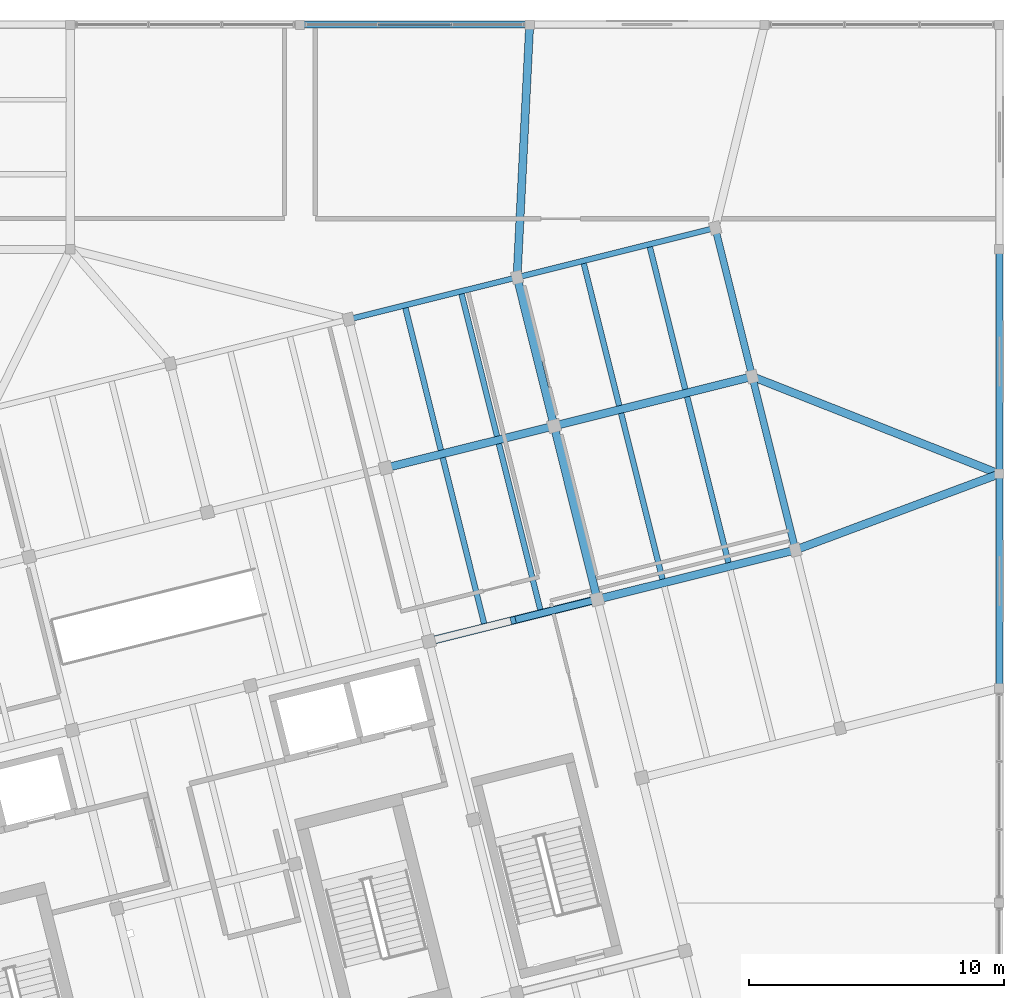
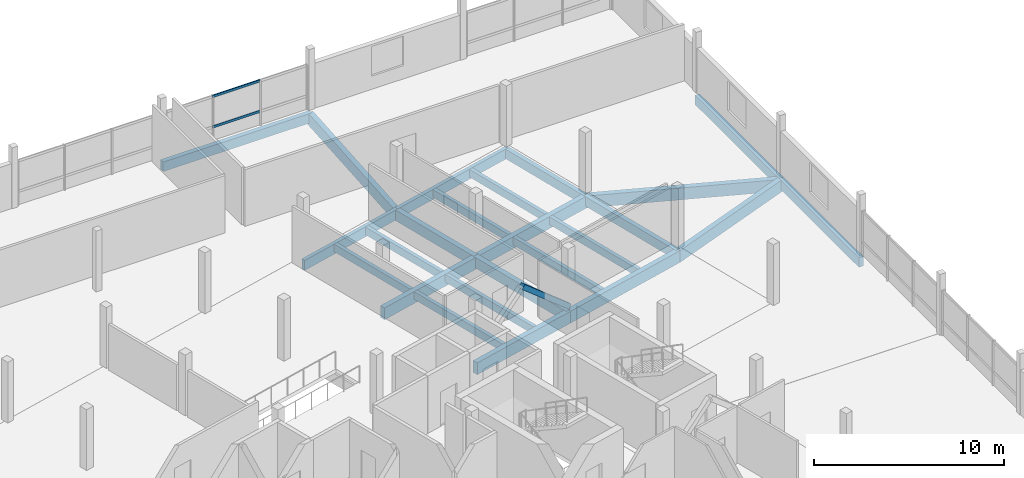
# One storey, part 29 of 39: 24 beams, 3 members, 1 element without a shape of its own.
"""IFC4 building model written with IfcOpenShell, lengths in metres."""

from ifc_helpers import new_model, si_unit, direction, frame, origin, origin_2d, place, context, subcontext, project, spatial, rectangle, hollow_rectangle, extrude, material, layer, layer_set, material_profile, profile_set, type_object, element, aggregate, save


model = new_model("IFC4")

# Units and contexts
model_context = context("Model", 3, precision=1e-05, world=origin(), true_north=direction((0.0, 1.0)))
body_context = subcontext(model_context, "Body", "Model", "MODEL_VIEW")
ifc_project = project(units=[si_unit("LENGTHUNIT", "METRE"), si_unit("AREAUNIT", "SQUARE_METRE"), si_unit("VOLUMEUNIT", "CUBIC_METRE"), si_unit("PLANEANGLEUNIT", "RADIAN"), si_unit("MASSUNIT", "GRAM", prefix="KILO")], contexts=[model_context])

# Site, building, storey
site_placement = place(None, origin())
site = spatial("IfcSite", under=ifc_project, at=site_placement, CompositionType="ELEMENT")
building_placement = place(site_placement, origin())
building = spatial("IfcBuilding", under=site, at=building_placement, Name="Meriwether Solvik Hall", CompositionType="ELEMENT")
storey_placement = place(building_placement, frame((0.0, 0.0, 22.199951171875)))
storey = spatial("IfcBuildingStorey", under=building, at=storey_placement, Name="L05", CompositionType="ELEMENT", Elevation=22.199951171875)

# Beams
ifc_material_1 = material(Name="Glulam Douglas-Fir 24F-V8 GL28h", Category="wood")
ifc_material_profile_1 = material_profile(ifc_material_1, rectangle(XDim=0.221923828125, YDim=0.64501953125, at=origin_2d()), Name="GLB-222X645")
ifc_profile_set_1 = profile_set([ifc_material_profile_1], Name="Glulam Douglas-Fir 24F-V8 GL28h")
beam_type_1 = type_object("IfcBeamType", Name="BM-GL-222X645", PredefinedType="SPANDREL", material=ifc_profile_set_1)
beam_1_placement = place(storey_placement, frame((88.707275390625, 81.254150390625, -0.5673828125), z_axis=(0.970298579828, 0.24191045034, 0.0), x_axis=(-0.24191045034, 0.970298579828, 0.0)))
element("IfcBeam", 1, at=beam_1_placement, inside=storey, type_object=beam_type_1, Name="Tower Girder TF:T5-T6 (L05)", PredefinedType="SPANDREL", context=body_context, shape_type="SweptSolid", body=[
    extrude(rectangle(XDim=0.221923828125, YDim=0.64501953125, at=origin_2d()), origin(), (0.0, 0.0, 1.0), 6.800048828125),
])
beam_2_placement = place(storey_placement, frame((95.305419921875, 82.899169921875, -0.5673828125), z_axis=(0.970289525963, 0.24194676234, 0.0), x_axis=(-0.24194676234, 0.970289525963, 0.0)))
element("IfcBeam", 2, at=beam_2_placement, inside=storey, type_object=beam_type_1, Name="Tower Girder TF:T6-T7 (L05)", PredefinedType="SPANDREL", context=body_context, shape_type="SweptSolid", body=[
    extrude(rectangle(XDim=0.221923828125, YDim=0.64501953125, at=origin_2d()), origin(), (0.0, 0.0, 1.0), 8.0),
])
ifc_material_2 = material(Name="Glulam Douglas-Fir 24F-V8 GL28h", Category="wood")
ifc_material_profile_2 = material_profile(ifc_material_2, rectangle(XDim=0.27294921875, YDim=0.610107421875, at=origin_2d()), Name="GLB-273X610")
ifc_profile_set_2 = profile_set([ifc_material_profile_2], Name="Glulam Douglas-Fir 24F-V8 GL28h")
beam_type_2 = type_object("IfcBeamType", Name="BM-GL-273X610", PredefinedType="SPANDREL", material=ifc_profile_set_2)
beam_3_placement = place(storey_placement, frame((86.800048828125, 92.800048828125, -0.550048828125), z_axis=(1.0, 0.0, 0.0), x_axis=(0.0, 1.0, 0.0)))
element("IfcBeam", 3, at=beam_3_placement, inside=storey, type_object=beam_type_2, Name="Podium Girder K:10-11 (L05)", PredefinedType="SPANDREL", context=body_context, shape_type="SweptSolid", body=[
    extrude(rectangle(XDim=0.27294921875, YDim=0.610107421875, at=origin_2d()), origin(), (0.0, 0.0, 1.0), 9.0),
])
beam_4_placement = place(storey_placement, frame((114.199951171875, 66.800048828125, -0.550048828125), z_axis=(0.0, 1.0, 0.0), x_axis=(-1.0, 0.0, 0.0)))
element("IfcBeam", 4, at=beam_4_placement, inside=storey, type_object=beam_type_2, Name="Podium Girder 13:H-I (L05)", PredefinedType="SPANDREL", context=body_context, shape_type="SweptSolid", body=[
    extrude(rectangle(XDim=0.27294921875, YDim=0.610107421875, at=origin_2d()), origin(), (0.0, 0.0, 1.0), 8.39990234375),
])
beam_5_placement = place(storey_placement, frame((114.199951171875, 75.199951171875, -0.550048828125), z_axis=(0.0, 1.0, 0.0), x_axis=(-1.0, 0.0, 0.0)))
element("IfcBeam", 5, at=beam_5_placement, inside=storey, type_object=beam_type_2, Name="Podium Girder 13:I-J (L05)", PredefinedType="SPANDREL", context=body_context, shape_type="SweptSolid", body=[
    extrude(rectangle(XDim=0.27294921875, YDim=0.610107421875, at=origin_2d()), origin(), (0.0, 0.0, 1.0), 8.800048828125),
])
beam_6_placement = place(storey_placement, frame((106.212646484375, 72.220703125, -0.550048828125), z_axis=(-0.241903692719, 0.970300264582, 0.0), x_axis=(-0.970300264582, -0.241903692719, 0.0)))
element("IfcBeam", 6, at=beam_6_placement, inside=storey, type_object=beam_type_2, Name="Tower Girder T7:TD-TE (L05)", PredefinedType="SPANDREL", context=body_context, shape_type="SweptSolid", body=[
    extrude(rectangle(XDim=0.27294921875, YDim=0.610107421875, at=origin_2d()), origin(), (0.0, 0.0, 1.0), 7.000244140625),
])
beam_7_placement = place(storey_placement, frame((104.519287109375, 79.012939453125, -0.550048828125), z_axis=(-0.241941986192, 0.970290716908, 0.0), x_axis=(-0.970290716908, -0.241941986192, 0.0)))
element("IfcBeam", 7, at=beam_7_placement, inside=storey, type_object=beam_type_2, Name="Tower Girder T7:TE-TF (L05)", PredefinedType="SPANDREL", context=body_context, shape_type="SweptSolid", body=[
    extrude(rectangle(XDim=0.27294921875, YDim=0.610107421875, at=origin_2d()), origin(), (0.0, 0.0, 1.0), 6.0),
])
ifc_material_3 = material(Name="Glulam Douglas-Fir 24F-V8 GL28h", Category="wood")
ifc_material_profile_3 = material_profile(ifc_material_3, rectangle(XDim=0.31494140625, YDim=0.68505859375, at=origin_2d()), Name="GLB-315X685")
ifc_profile_set_3 = profile_set([ifc_material_profile_3], Name="Glulam Douglas-Fir 24F-V8 GL28h")
beam_type_3 = type_object("IfcBeamType", Name="BM-GL-315X685", PredefinedType="BEAM", material=ifc_profile_set_3)
beam_8_placement = place(storey_placement, frame((98.4501953125, 70.285400390625, -0.58740234375), z_axis=(-0.241911879182, 0.970298223594, 0.0), x_axis=(-0.970298223594, -0.241911879182, 0.0)))
element("IfcBeam", 8, at=beam_8_placement, inside=storey, type_object=beam_type_3, Name="Tower Girder T6:TD-TE (L05)", PredefinedType="BEAM", context=body_context, shape_type="SweptSolid", body=[
    extrude(rectangle(XDim=0.31494140625, YDim=0.68505859375, at=origin_2d()), origin(), (0.0, 0.0, 1.0), 7.0),
])
beam_9_placement = place(storey_placement, frame((96.7568359375, 77.077392578125, -0.58740234375), z_axis=(-0.241903677572, 0.970300268359, 0.0), x_axis=(-0.970300268359, -0.241903677572, 0.0)))
element("IfcBeam", 9, at=beam_9_placement, inside=storey, type_object=beam_type_3, Name="Tower Girder T6:TE-TF (L05)", PredefinedType="BEAM", context=body_context, shape_type="SweptSolid", body=[
    extrude(rectangle(XDim=0.31494140625, YDim=0.68505859375, at=origin_2d()), origin(), (0.0, 0.0, 1.0), 6.0),
])
ifc_material_4 = material(Name="Glulam Douglas-Fir 24F-V8 GL28h", Category="wood")
ifc_material_profile_4 = material_profile(ifc_material_4, rectangle(XDim=0.31494140625, YDim=0.760009765625, at=origin_2d()), Name="GLB-315X760")
ifc_profile_set_4 = profile_set([ifc_material_profile_4], Name="Glulam Douglas-Fir 24F-V8 GL28h")
beam_type_4 = type_object("IfcBeamType", Name="BM-GL-315X760", PredefinedType="BEAM", material=ifc_profile_set_4)
beam_10_placement = place(storey_placement, frame((95.305419921875, 82.899169921875, -0.625), z_axis=(0.049895854105, 0.998754426144, 0.0), x_axis=(-0.998754426144, 0.049895854105, 0.0)))
element("IfcBeam", 10, at=beam_10_placement, inside=storey, type_object=beam_type_4, Name="Diaphragm Collector Girder T6/TF-11/K (L05)", PredefinedType="BEAM", context=body_context, shape_type="SweptSolid", body=[
    extrude(rectangle(XDim=0.31494140625, YDim=0.760009765625, at=origin_2d()), origin(), (0.0, 0.0, 1.0), 9.913330078125),
])
beam_11_placement = place(storey_placement, frame((106.212646484375, 72.220703125, -0.625), z_axis=(0.93694444662, 0.349478331156, 0.0), x_axis=(-0.349478331156, 0.93694444662, 0.0)))
element("IfcBeam", 11, at=beam_11_placement, inside=storey, type_object=beam_type_4, Name="Diaphragm Collector Girder T7/TD-13/I (L05)", PredefinedType="BEAM", context=body_context, shape_type="SweptSolid", body=[
    extrude(rectangle(XDim=0.31494140625, YDim=0.760009765625, at=origin_2d()), origin(), (0.0, 0.0, 1.0), 8.52490234375),
])
beam_12_placement = place(storey_placement, frame((104.519287109375, 79.012939453125, -0.625), z_axis=(0.930428275018, -0.366474044165, 0.0), x_axis=(0.366474044165, 0.930428275018, 0.0)))
element("IfcBeam", 12, at=beam_12_placement, inside=storey, type_object=beam_type_4, Name="Diaphragm Collector Girder T7/TE-13/I (L05)", PredefinedType="BEAM", context=body_context, shape_type="SweptSolid", body=[
    extrude(rectangle(XDim=0.31494140625, YDim=0.760009765625, at=origin_2d()), origin(), (0.0, 0.0, 1.0), 10.404541015625),
])
beam_13_placement = place(storey_placement, frame((91.852294921875, 68.640380859375, -0.625), z_axis=(0.970296478685, 0.241918877831, 0.0), x_axis=(-0.241918877831, 0.970296478685, 0.0)))
element("IfcBeam", 13, at=beam_13_placement, inside=storey, type_object=beam_type_4, Name="Tower Girder TD:T5-T6 (L05)", PredefinedType="BEAM", context=body_context, shape_type="SweptSolid", body=[
    extrude(rectangle(XDim=0.31494140625, YDim=0.760009765625, at=origin_2d()), origin(), (0.0, 0.0, 1.0), 6.7998046875),
])
beam_14_placement = place(storey_placement, frame((98.4501953125, 70.285400390625, -0.625), z_axis=(0.970298475929, 0.241910867076, 0.0), x_axis=(-0.241910867076, 0.970298475929, 0.0)))
element("IfcBeam", 14, at=beam_14_placement, inside=storey, type_object=beam_type_4, Name="Tower Girder TD:T6-T7 (L05)", PredefinedType="BEAM", context=body_context, shape_type="SweptSolid", body=[
    extrude(rectangle(XDim=0.31494140625, YDim=0.760009765625, at=origin_2d()), origin(), (0.0, 0.0, 1.0), 8.0),
])
beam_15_placement = place(storey_placement, frame((90.158935546875, 75.432373046875, -0.625), z_axis=(0.970296478685, 0.241918877831, 0.0), x_axis=(-0.241918877831, 0.970296478685, 0.0)))
element("IfcBeam", 15, at=beam_15_placement, inside=storey, type_object=beam_type_4, Name="Tower Girder TE:T5-T6 (L05)", PredefinedType="BEAM", context=body_context, shape_type="SweptSolid", body=[
    extrude(rectangle(XDim=0.31494140625, YDim=0.760009765625, at=origin_2d()), origin(), (0.0, 0.0, 1.0), 6.7998046875),
])
beam_16_placement = place(storey_placement, frame((96.7568359375, 77.077392578125, -0.625), z_axis=(0.970291312354, 0.241939598187, 0.0), x_axis=(-0.241939598187, 0.970291312354, 0.0)))
element("IfcBeam", 16, at=beam_16_placement, inside=storey, type_object=beam_type_4, Name="Tower Girder TE:T6-T7 (L05)", PredefinedType="BEAM", context=body_context, shape_type="SweptSolid", body=[
    extrude(rectangle(XDim=0.31494140625, YDim=0.760009765625, at=origin_2d()), origin(), (0.0, 0.0, 1.0), 8.000244140625),
])

# Curtain wall, members
ifc_material_5 = material(Name="Thermally Broken Anodised Aluminium 6063-T6 and Low-E Glass", Category="aluminium")
ifc_layer = layer(ifc_material_5, 0.179931640625)
ifc_layer_set = layer_set([ifc_layer], Name="Thermally Broken Anodised Aluminium 6063-T6 and Low-E Glass")
curtain_wall_type = type_object("IfcCurtainWallType", Name="CW-UNIT-E", PredefinedType="USERDEFINED", material=ifc_layer_set)
curtain_wall_placement = place(storey_placement, origin())
curtain_wall = element("IfcCurtainWall", 17, at=curtain_wall_placement, inside=storey, type_object=curtain_wall_type, Name="Curtain Wall wing_XK_10_9 (L05)", ObjectType="UNITISED CURTAIN WALL", PredefinedType="USERDEFINED")
ifc_material_6 = material(Name="Anodised Aluminium 6063-T6", Category="aluminium")
ifc_material_profile_5 = material_profile(ifc_material_6, hollow_rectangle(XDim=0.070068359375, YDim=0.14990234375, WallThickness=0.0048828125, at=origin_2d()), Name="CWT-70X150")
ifc_profile_set_5 = profile_set([ifc_material_profile_5], Name="Anodised Aluminium 6063-T6")
member_type_1 = type_object("IfcMemberType", Name="CW-TRN-70X150", PredefinedType="USERDEFINED", material=ifc_profile_set_5)
member_1_placement = place(storey_placement, frame((89.86474609375, 92.800048828125, 0.864013671875), z_axis=(1.0, 0.0, 0.0), x_axis=(0.0, 1.0, 0.0)))
member_1 = element("IfcMember", 18, at=member_1_placement, type_object=member_type_1, Name="Curtain Wall Transom 2-sill", ObjectType="TRANSOM", PredefinedType="USERDEFINED", context=body_context, shape_type="SweptSolid", body=[
    extrude(hollow_rectangle(XDim=0.070068359375, YDim=0.14990234375, WallThickness=0.0048828125, at=origin_2d()), origin(), (0.0, 0.0, 1.0), 2.870361328125),
])
member_2_placement = place(storey_placement, frame((89.86474609375, 92.800048828125, 2.820068359375), z_axis=(1.0, 0.0, 0.0), x_axis=(0.0, 1.0, 0.0)))
member_2 = element("IfcMember", 19, at=member_2_placement, type_object=member_type_1, Name="Curtain Wall Transom 2-head", ObjectType="TRANSOM", PredefinedType="USERDEFINED", context=body_context, shape_type="SweptSolid", body=[
    extrude(hollow_rectangle(XDim=0.070068359375, YDim=0.14990234375, WallThickness=0.0048828125, at=origin_2d()), origin(), (0.0, 0.0, 1.0), 2.870361328125),
])
aggregate(curtain_wall, [member_1, member_2])

# Beams
ifc_material_7 = material(Name="Glulam Douglas-Fir 24F-V8 GL28h", Category="wood")
ifc_material_profile_6 = material_profile(ifc_material_7, rectangle(XDim=0.221923828125, YDim=0.4951171875, at=origin_2d()), Name="GLJ-222X495")
ifc_profile_set_6 = profile_set([ifc_material_profile_6], Name="Glulam Douglas-Fir 24F-V8 GL28h")
beam_type_5 = type_object("IfcBeamType", Name="JST-GL-222X495", PredefinedType="JOIST", material=ifc_profile_set_6)
for number, where, z_axis, x_axis, name in (
    (20, (94.0146484375, 69.336669921875, -0.492431640625), (-0.241917792922, 0.970296749179, 0.0), (-0.970296749179, -0.241917792922, 0.0), "Glulam Floor Joist T5/TD-J1 (L05)"),
    (21, (96.214111328125, 69.885009765625, -0.492431640625), (-0.241952124656, 0.970288188825, 0.0), (-0.970288188825, -0.241952124656, 0.0), "Glulam Floor Joist T5/TD-J2 (L05)"),
):
    element("IfcBeam", number, at=place(storey_placement, frame(where, z_axis=z_axis, x_axis=x_axis)), inside=storey, type_object=beam_type_5, Name=name, PredefinedType="JOIST", context=body_context, shape_type="SweptSolid", body=[
        extrude(rectangle(XDim=0.221923828125, YDim=0.4951171875, at=origin_2d()), origin(), (0.0, 0.0, 1.0), 6.695068359375),
    ])
for number, where, z_axis, x_axis, name in (
    (22, (92.3212890625, 76.128662109375, -0.492431640625), (-0.241905253991, 0.970299875343, 0.0), (-0.970299875343, -0.241905253991, 0.0), "Glulam Floor Joist T5/TE-J1 (L05)"),
    (23, (94.5205078125, 76.677001953125, -0.492431640625), (-0.241905253991, 0.970299875343, 0.0), (-0.970299875343, -0.241905253991, 0.0), "Glulam Floor Joist T5/TE-J2 (L05)"),
):
    element("IfcBeam", number, at=place(storey_placement, frame(where, z_axis=z_axis, x_axis=x_axis)), inside=storey, type_object=beam_type_5, Name=name, PredefinedType="JOIST", context=body_context, shape_type="SweptSolid", body=[
        extrude(rectangle(XDim=0.221923828125, YDim=0.4951171875, at=origin_2d()), origin(), (0.0, 0.0, 1.0), 5.741455078125),
    ])
for number, where, z_axis, x_axis, name in (
    (24, (101.0009765625, 71.07861328125, -0.492431640625), (-0.241952124656, 0.970288188825, 0.0), (-0.970288188825, -0.241952124656, 0.0), "Glulam Floor Joist T6/TD-J1 (L05)"),
    (25, (103.58837890625, 71.7236328125, -0.492431640625), (-0.241952124656, 0.970288188825, 0.0), (-0.970288188825, -0.241952124656, 0.0), "Glulam Floor Joist T6/TD-J2 (L05)"),
):
    element("IfcBeam", number, at=place(storey_placement, frame(where, z_axis=z_axis, x_axis=x_axis)), inside=storey, type_object=beam_type_5, Name=name, PredefinedType="JOIST", context=body_context, shape_type="SweptSolid", body=[
        extrude(rectangle(XDim=0.221923828125, YDim=0.4951171875, at=origin_2d()), origin(), (0.0, 0.0, 1.0), 6.695068359375),
    ])
for number, where, z_axis, x_axis, name in (
    (26, (99.307373046875, 77.87060546875, -0.492431640625), (-0.241915235082, 0.970297386905, 0.0), (-0.970297386905, -0.241915235082, 0.0), "Glulam Floor Joist T6/TE-J1 (L05)"),
    (27, (101.894775390625, 78.515625, -0.492431640625), (-0.241905253991, 0.970299875343, 0.0), (-0.970299875343, -0.241905253991, 0.0), "Glulam Floor Joist T6/TE-J2 (L05)"),
):
    element("IfcBeam", number, at=place(storey_placement, frame(where, z_axis=z_axis, x_axis=x_axis)), inside=storey, type_object=beam_type_5, Name=name, PredefinedType="JOIST", context=body_context, shape_type="SweptSolid", body=[
        extrude(rectangle(XDim=0.221923828125, YDim=0.4951171875, at=origin_2d()), origin(), (0.0, 0.0, 1.0), 5.741455078125),
    ])

# Member
ifc_material_8 = material(Name="Glulam Douglas-Fir 24F-V8 GL28h", Category="wood")
ifc_material_profile_7 = material_profile(ifc_material_8, rectangle(XDim=0.27294921875, YDim=0.304931640625, at=origin_2d()), Name="GLM-273X305")
ifc_profile_set_7 = profile_set([ifc_material_profile_7], Name="Glulam Douglas-Fir 24F-V8 GL28h")
member_type_2 = type_object("IfcMemberType", Name="MEM-BR-GL273", PredefinedType="BRACE", material=ifc_profile_set_7)
member_3_placement = place(storey_placement, frame((98.4501953125, 70.285400390625, 0.050048828125), z_axis=(-0.737154440778, -0.183797610345, 0.650247467409), x_axis=(0.241927305891, -0.970294377323, 0.0)))
element("IfcMember", 28, at=member_3_placement, inside=storey, type_object=member_type_2, Name="Tower Chevron Brace L05-B4B", PredefinedType="BRACE", context=body_context, shape_type="SweptSolid", body=[
    extrude(rectangle(XDim=0.27294921875, YDim=0.304931640625, at=origin_2d()), origin(), (0.0, 0.0, 1.0), 4.47509765625),
])

save(model, "model.ifc")
